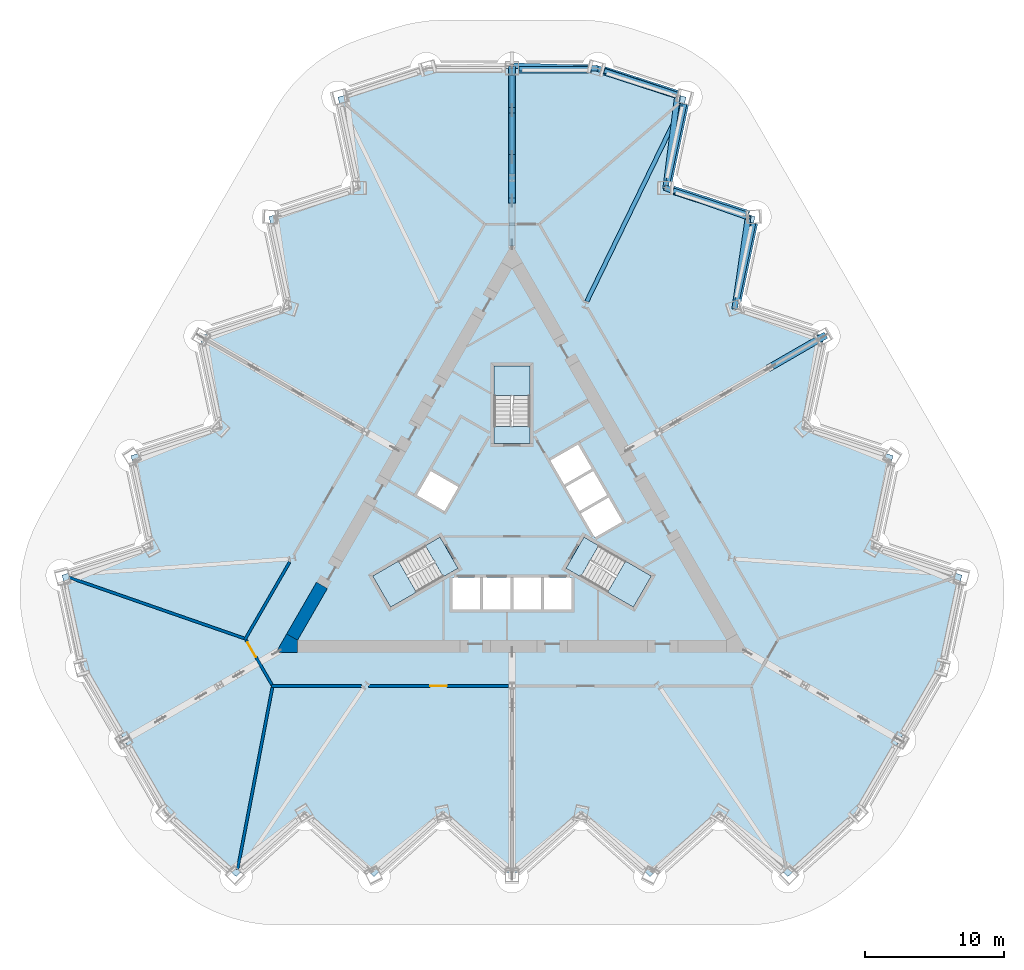
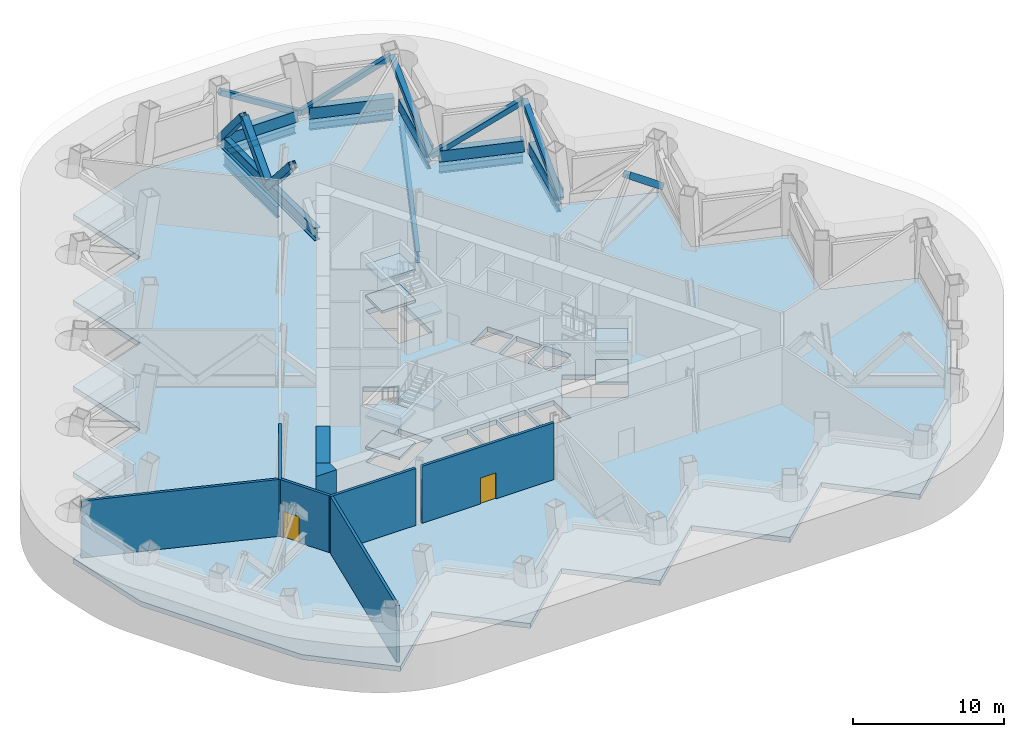
# One storey, part 4 of 14: 15 members, 10 slabs, 8 walls, 7 beams, 2 doors, 2 openings, 3 elements without a shape of their own.
"""IFC4 building model written with IfcOpenShell, lengths in metres."""

from ifc_helpers import new_model, si_unit, direction, frame, frame_2d, origin, origin_2d, place, context, subcontext, project, spatial, polyline, rectangle, hollow_rectangle, i_section, outline, extrude, material, layer, layer_set, material_profile, profile_set, type_object, element, fill, aggregate, save


model = new_model("IFC4")

# Units and contexts
model_context = context("Model", 3, precision=1e-05, world=origin(), true_north=direction((0.0, 1.0)))
body_context = subcontext(model_context, "Body", "Model", "MODEL_VIEW")
ifc_project = project(units=[si_unit("LENGTHUNIT", "METRE"), si_unit("AREAUNIT", "SQUARE_METRE"), si_unit("VOLUMEUNIT", "CUBIC_METRE"), si_unit("PLANEANGLEUNIT", "RADIAN"), si_unit("MASSUNIT", "GRAM", prefix="KILO")], contexts=[model_context])

# Site, building, storey
site_placement = place(None, origin())
site = spatial("IfcSite", under=ifc_project, at=site_placement, CompositionType="ELEMENT")
building_placement = place(site_placement, origin())
building = spatial("IfcBuilding", under=site, at=building_placement, Name="Cormorant Prow Tower", CompositionType="ELEMENT")
storey_placement = place(building_placement, frame((0.0, 0.0, 94.60009765625)))
storey = spatial("IfcBuildingStorey", under=building, at=storey_placement, Name="L19", CompositionType="ELEMENT", Elevation=94.60009765625)

# Members
ifc_material_1 = material(Name="Structural steel ASTM A572 Gr 50", Category="steel")
ifc_material_profile_1 = material_profile(ifc_material_1, hollow_rectangle(XDim=0.60009765625, YDim=0.89990234375, WallThickness=0.06005859375, at=origin_2d()), Name="Box 900x600x60")
ifc_profile_set_1 = profile_set([ifc_material_profile_1], Name="Structural steel ASTM A572 Gr 50")
member_type_1 = type_object("IfcMemberType", Name="Belt truss bottom chord 900x600x60", PredefinedType="CHORD", material=ifc_profile_set_1)
for number, where, z_axis, x_axis, name in (
    (1, (16.199462890625, 15.490478515625, 0.449951171875), (0.207940619729, 0.978141451257, 0.0), (-0.978141451257, 0.207940619729, 0.0), "Belt truss bottom chord ENE06-ENE07 L19"),
    (2, (17.044189453125, 21.71240234375, 0.449951171875), (-0.951049689017, 0.309038005787, 0.0), (-0.309038005787, -0.951049689017, 0.0), "Belt truss bottom chord ENE07-ENE08 L19"),
):
    element("IfcMember", number, at=place(storey_placement, frame(where, z_axis=z_axis, x_axis=x_axis)), inside=storey, type_object=member_type_1, Name=name, PredefinedType="CHORD", context=body_context, shape_type="SweptSolid", body=[
        extrude(hollow_rectangle(XDim=0.60009765625, YDim=0.89990234375, WallThickness=0.06005859375, at=origin_2d()), origin(), (0.0, 0.0, 1.0), 5.742431640625),
    ])
member_1_placement = place(storey_placement, frame((11.2333984375, 24.091796875, 0.449951171875), z_axis=(0.207931972737, 0.978143289459, 0.0), x_axis=(-0.978143289459, 0.207931972737, 0.0)))
element("IfcMember", 3, at=member_1_placement, inside=storey, type_object=member_type_1, Name="Belt truss bottom chord ENE08-ENE09 L19", PredefinedType="CHORD", context=body_context, shape_type="SweptSolid", body=[
    extrude(hollow_rectangle(XDim=0.60009765625, YDim=0.89990234375, WallThickness=0.06005859375, at=origin_2d()), origin(), (0.0, 0.0, 1.0), 5.74267578125),
])
member_2_placement = place(storey_placement, frame((12.078125, 30.31396484375, 0.449951171875), z_axis=(-0.951062183866, 0.308999550842, 0.0), x_axis=(-0.308999550842, -0.951062183866, 0.0)))
element("IfcMember", 4, at=member_2_placement, inside=storey, type_object=member_type_1, Name="Belt truss bottom chord ENE09-N00 L19", PredefinedType="CHORD", context=body_context, shape_type="SweptSolid", body=[
    extrude(hollow_rectangle(XDim=0.60009765625, YDim=0.89990234375, WallThickness=0.06005859375, at=origin_2d()), origin(), (0.0, 0.0, 1.0), 5.742431640625),
])
member_3_placement = place(storey_placement, frame((5.69970703125, 32.233642578125, 0.449951171875), z_axis=(-1.0, 0.0, 0.0), x_axis=(0.0, -1.0, 0.0)))
element("IfcMember", 5, at=member_3_placement, inside=storey, type_object=member_type_1, Name="Belt truss bottom chord N00-N01 L19", PredefinedType="CHORD", context=body_context, shape_type="SweptSolid", body=[
    extrude(hollow_rectangle(XDim=0.60009765625, YDim=0.89990234375, WallThickness=0.06005859375, at=origin_2d()), origin(), (0.0, 0.0, 1.0), 5.229736328125),
])
ifc_material_2 = material(Name="Structural steel ASTM A500 Gr C", Category="steel")
ifc_material_profile_2 = material_profile(ifc_material_2, hollow_rectangle(XDim=0.406494140625, YDim=0.406494140625, WallThickness=0.014892578125, at=origin_2d()), Name="HSS16x16x5/8")
ifc_profile_set_2 = profile_set([ifc_material_profile_2], Name="Structural steel ASTM A500 Gr C")
member_type_2 = type_object("IfcMemberType", Name="Belt truss diagonal HSS16x16x5/8", PredefinedType="BRACE", material=ifc_profile_set_2)
member_4_placement = place(storey_placement, frame((11.06689453125, 23.634033203125, 0.449951171875), z_axis=(0.812706953965, -0.287117202327, 0.507021813244), x_axis=(0.333108406392, 0.942888535083, 0.0)))
element("IfcMember", 6, at=member_4_placement, inside=storey, type_object=member_type_2, Name="Belt truss diagonal ENE07-ENE08 L19", PredefinedType="BRACE", context=body_context, shape_type="SweptSolid", body=[
    extrude(hollow_rectangle(XDim=0.406494140625, YDim=0.406494140625, WallThickness=0.014892578125, at=origin_2d()), origin(), (0.0, 0.0, 1.0), 7.29736328125),
])
member_5_placement = place(storey_placement, frame((6.088623046875, 32.25634765625, 0.449951171875), z_axis=(0.813433365656, -0.268306672584, 0.516079150019), x_axis=(0.31324443822, 0.949672534048, 0.0)))
element("IfcMember", 7, at=member_5_placement, inside=storey, type_object=member_type_2, Name="Belt truss diagonal ENE09-N00 L19", PredefinedType="BRACE", context=body_context, shape_type="SweptSolid", body=[
    extrude(hollow_rectangle(XDim=0.406494140625, YDim=0.406494140625, WallThickness=0.014892578125, at=origin_2d()), origin(), (0.0, 0.0, 1.0), 7.16943359375),
])
ifc_material_3 = material(Name="Structural steel ASTM A500 Gr C", Category="steel")
ifc_material_profile_3 = material_profile(ifc_material_3, hollow_rectangle(XDim=0.406494140625, YDim=0.406494140625, WallThickness=0.014892578125, at=origin_2d()), Name="HSS16x16x5/8")
ifc_profile_set_3 = profile_set([ifc_material_profile_3], Name="Structural steel ASTM A500 Gr C")
member_type_3 = type_object("IfcMemberType", Name="Belt truss strut HSS16x16x5/8", PredefinedType="STRUT", material=ifc_profile_set_3)
member_6_placement = place(storey_placement, frame((16.044921875, 15.01171875, 0.449951171875), z_axis=(0.125958825238, 0.863021320537, 0.48921219797), x_axis=(-0.989516348187, 0.144420901089, 0.0)))
element("IfcMember", 8, at=member_6_placement, inside=storey, type_object=member_type_3, Name="Belt truss strut ENE06-ENE07 L19", PredefinedType="STRUT", context=body_context, shape_type="SweptSolid", body=[
    extrude(hollow_rectangle(XDim=0.406494140625, YDim=0.406494140625, WallThickness=0.014892578125, at=origin_2d()), origin(), (0.0, 0.0, 1.0), 7.56298828125),
])
member_7_placement = place(storey_placement, frame((11.06689453125, 23.634033203125, 0.449951171875), z_axis=(0.110845140473, 0.86995679757, 0.480508610948), x_axis=(-0.991980283987, 0.126392706204, 0.0)))
element("IfcMember", 9, at=member_7_placement, inside=storey, type_object=member_type_3, Name="Belt truss strut ENE08-ENE09 L19", PredefinedType="STRUT", context=body_context, shape_type="SweptSolid", body=[
    extrude(hollow_rectangle(XDim=0.406494140625, YDim=0.406494140625, WallThickness=0.014892578125, at=origin_2d()), origin(), (0.0, 0.0, 1.0), 7.699951171875),
])
member_8_placement = place(storey_placement, frame((6.088623046875, 32.25634765625, 0.449951171875), z_axis=(-0.854286991675, 0.02630788763, 0.519135464887), x_axis=(-0.030780548378, -0.999526166662, 0.0)))
element("IfcMember", 10, at=member_8_placement, inside=storey, type_object=member_type_3, Name="Belt truss strut N00-N01 L19", PredefinedType="STRUT", context=body_context, shape_type="SweptSolid", body=[
    extrude(hollow_rectangle(XDim=0.406494140625, YDim=0.406494140625, WallThickness=0.014892578125, at=origin_2d()), origin(), (0.0, 0.0, 1.0), 7.127197265625),
])
ifc_material_4 = material(Name="Structural steel ASTM A992 Gr 50", Category="steel")
ifc_material_profile_4 = material_profile(ifc_material_4, i_section(OverallWidth=0.39990234375, OverallDepth=1.000244140625, WebThickness=0.01904296875, FlangeThickness=0.0361328125, at=origin_2d()), Name="W40x249")
ifc_profile_set_4 = profile_set([ifc_material_profile_4], Name="Structural steel ASTM A992 Gr 50")
member_type_4 = type_object("IfcMemberType", Name="Outrigger chord W40x249", PredefinedType="CHORD", material=ifc_profile_set_4)
member_9_placement = place(storey_placement, frame((0.0, 19.47998046875, 0.5), z_axis=(0.0, 1.0, 0.0), x_axis=(-1.0, 0.0, 0.0)))
element("IfcMember", 11, at=member_9_placement, inside=storey, type_object=member_type_4, Name="Outrigger bottom chord 1 L19", PredefinedType="CHORD", context=body_context, shape_type="SweptSolid", body=[
    extrude(i_section(OverallWidth=0.39990234375, OverallDepth=1.000244140625, WebThickness=0.01904296875, FlangeThickness=0.0361328125, at=origin_2d()), origin(), (0.0, 0.0, 1.0), 12.753662109375),
])
ifc_material_5 = material(Name="Structural steel ASTM A500 Gr C", Category="steel")
ifc_material_profile_5 = material_profile(ifc_material_5, hollow_rectangle(XDim=0.508056640625, YDim=0.508056640625, WallThickness=0.014892578125, at=origin_2d()), Name="HSS20x20x5/8")
ifc_profile_set_5 = profile_set([ifc_material_profile_5], Name="Structural steel ASTM A500 Gr C")
member_type_5 = type_object("IfcMemberType", Name="Outrigger diagonal HSS20x20x5/8", PredefinedType="BRACE", material=ifc_profile_set_5)
member_10_placement = place(storey_placement, frame((0.0, 25.856689453125, 0.5), z_axis=(0.0, 0.684324317416, 0.729177775712), x_axis=(-1.0, 0.0, 0.0)))
element("IfcMember", 12, at=member_10_placement, inside=storey, type_object=member_type_5, Name="Outrigger diagonal 1.3 L19", PredefinedType="BRACE", context=body_context, shape_type="SweptSolid", body=[
    extrude(hollow_rectangle(XDim=0.508056640625, YDim=0.508056640625, WallThickness=0.014892578125, at=origin_2d()), origin(), (0.0, 0.0, 1.0), 4.936767578125),
])
ifc_material_6 = material(Name="Structural steel ASTM A500 Gr C", Category="steel")
ifc_material_profile_6 = material_profile(ifc_material_6, hollow_rectangle(XDim=0.508056640625, YDim=0.508056640625, WallThickness=0.014892578125, at=origin_2d()), Name="HSS20x20x5/8")
ifc_profile_set_6 = profile_set([ifc_material_profile_6], Name="Structural steel ASTM A500 Gr C")
member_type_6 = type_object("IfcMemberType", Name="Outrigger strut HSS20x20x5/8", PredefinedType="STRUT", material=ifc_profile_set_6)
member_11_placement = place(storey_placement, frame((0.0, 22.731689453125, 4.099853515625), z_axis=(0.0, 0.655544505125, -0.755156541255), x_axis=(-1.0, 0.0, 0.0)))
element("IfcMember", 13, at=member_11_placement, inside=storey, type_object=member_type_6, Name="Outrigger strut 1.2 L19", PredefinedType="STRUT", context=body_context, shape_type="SweptSolid", body=[
    extrude(hollow_rectangle(XDim=0.508056640625, YDim=0.508056640625, WallThickness=0.014892578125, at=origin_2d()), origin(), (0.0, 0.0, 1.0), 4.76708984375),
])
member_12_placement = place(storey_placement, frame((0.0, 29.235107421875, 4.099853515625), z_axis=(0.0, 0.640015240155, -0.768362214304), x_axis=(-1.0, 0.0, 0.0)))
element("IfcMember", 14, at=member_12_placement, inside=storey, type_object=member_type_6, Name="Outrigger strut 1.4 L19", PredefinedType="STRUT", context=body_context, shape_type="SweptSolid", body=[
    extrude(hollow_rectangle(XDim=0.508056640625, YDim=0.508056640625, WallThickness=0.014892578125, at=origin_2d()), origin(), (0.0, 0.0, 1.0), 4.68505859375),
])
member_13_placement = place(storey_placement, frame((18.58984375, 10.73291015625, 4.099853515625), z_axis=(0.674247915553, 0.389242925808, -0.627598353313), x_axis=(-0.49996696679, 0.866044474677, 0.0)))
element("IfcMember", 15, at=member_13_placement, inside=storey, type_object=member_type_6, Name="Outrigger strut 6.4 L19", PredefinedType="STRUT", context=body_context, shape_type="SweptSolid", body=[
    extrude(hollow_rectangle(XDim=0.508056640625, YDim=0.508056640625, WallThickness=0.014892578125, at=origin_2d()), origin(), (0.0, 0.0, 1.0), 5.73583984375),
])

# Beams
ifc_material_7 = material(Name="Structural steel ASTM A992 Gr 50", Category="steel")
ifc_material_profile_7 = material_profile(ifc_material_7, i_section(OverallWidth=0.3046875, OverallDepth=0.914794921875, WebThickness=0.0166015625, FlangeThickness=0.02587890625, at=origin_2d()), Name="W36x160")
ifc_profile_set_7 = profile_set([ifc_material_profile_7], Name="Structural steel ASTM A992 Gr 50")
beam_type_1 = type_object("IfcBeamType", Name="Radial floor beam W36x160", PredefinedType="BEAM", material=ifc_profile_set_7)
beam_1_placement = place(storey_placement, frame((0.0, 24.662109375, -0.857421875), z_axis=(0.0, 1.0, 0.0), x_axis=(-1.0, 0.0, 0.0)))
element("IfcBeam", 16, at=beam_1_placement, inside=storey, type_object=beam_type_1, Name="Radial floor beam FB1 1 L19", PredefinedType="BEAM", context=body_context, shape_type="SweptSolid", body=[
    extrude(i_section(OverallWidth=0.3046875, OverallDepth=0.914794921875, WebThickness=0.0166015625, FlangeThickness=0.02587890625, at=origin_2d()), origin(), (0.0, 0.0, 1.0), 7.071533203125),
])
beam_2_placement = place(storey_placement, frame((5.390625, 15.4775390625, -0.857421875), z_axis=(0.436839436813, 0.899539496879, 0.0), x_axis=(-0.899539496879, 0.436839436813, 0.0)))
element("IfcBeam", 17, at=beam_2_placement, inside=storey, type_object=beam_type_1, Name="Radial floor beam FB1 12 L19", PredefinedType="BEAM", context=body_context, shape_type="SweptSolid", body=[
    extrude(i_section(OverallWidth=0.3046875, OverallDepth=0.914794921875, WebThickness=0.0166015625, FlangeThickness=0.02587890625, at=origin_2d()), origin(), (0.0, 0.0, 1.0), 15.83203125),
])
ifc_material_8 = material(Name="Structural steel ASTM A992 Gr 50", Category="steel")
ifc_material_profile_8 = material_profile(ifc_material_8, i_section(OverallWidth=0.32373046875, OverallDepth=0.611083984375, WebThickness=0.0126953125, FlangeThickness=0.01904296875, at=origin_2d()), Name="W24x104")
ifc_profile_set_8 = profile_set([ifc_material_profile_8], Name="Structural steel ASTM A992 Gr 50")
beam_type_2 = type_object("IfcBeamType", Name="Spandrel beam W24x104", PredefinedType="SPANDREL", material=ifc_profile_set_8)
beam_3_placement = place(storey_placement, frame((16.205810546875, 15.519775390625, -0.70556640625), z_axis=(0.207900376723, 0.97815000555, 0.0), x_axis=(-0.97815000555, 0.207900376723, 0.0)))
element("IfcBeam", 18, at=beam_3_placement, inside=storey, type_object=beam_type_2, Name="Spandrel beam SB1 ENE06-ENE07 L19", PredefinedType="SPANDREL", context=body_context, shape_type="SweptSolid", body=[
    extrude(i_section(OverallWidth=0.32373046875, OverallDepth=0.611083984375, WebThickness=0.0126953125, FlangeThickness=0.01904296875, at=origin_2d()), origin(), (0.0, 0.0, 1.0), 5.6826171875),
])
beam_4_placement = place(storey_placement, frame((17.015625, 21.7216796875, -0.70556640625), z_axis=(-0.951049222751, 0.309039440696, 0.0), x_axis=(-0.309039440696, -0.951049222751, 0.0)))
element("IfcBeam", 19, at=beam_4_placement, inside=storey, type_object=beam_type_2, Name="Spandrel beam SB1 ENE07-ENE08 L19", PredefinedType="SPANDREL", context=body_context, shape_type="SweptSolid", body=[
    extrude(i_section(OverallWidth=0.32373046875, OverallDepth=0.611083984375, WebThickness=0.0126953125, FlangeThickness=0.01904296875, at=origin_2d()), origin(), (0.0, 0.0, 1.0), 5.682373046875),
])
beam_5_placement = place(storey_placement, frame((11.23974609375, 24.121337890625, -0.70556640625), z_axis=(0.207900376723, 0.97815000555, 0.0), x_axis=(-0.97815000555, 0.207900376723, 0.0)))
element("IfcBeam", 20, at=beam_5_placement, inside=storey, type_object=beam_type_2, Name="Spandrel beam SB1 ENE08-ENE09 L19", PredefinedType="SPANDREL", context=body_context, shape_type="SweptSolid", body=[
    extrude(i_section(OverallWidth=0.32373046875, OverallDepth=0.611083984375, WebThickness=0.0126953125, FlangeThickness=0.01904296875, at=origin_2d()), origin(), (0.0, 0.0, 1.0), 5.6826171875),
])
beam_6_placement = place(storey_placement, frame((12.049560546875, 30.3232421875, -0.70556640625), z_axis=(-0.951061849722, 0.309000579292, 0.0), x_axis=(-0.309000579292, -0.951061849722, 0.0)))
element("IfcBeam", 21, at=beam_6_placement, inside=storey, type_object=beam_type_2, Name="Spandrel beam SB1 ENE09-N00 L19", PredefinedType="SPANDREL", context=body_context, shape_type="SweptSolid", body=[
    extrude(i_section(OverallWidth=0.32373046875, OverallDepth=0.611083984375, WebThickness=0.0126953125, FlangeThickness=0.01904296875, at=origin_2d()), origin(), (0.0, 0.0, 1.0), 5.682373046875),
])
beam_7_placement = place(storey_placement, frame((5.669677734375, 32.233642578125, -0.70556640625), z_axis=(-1.0, 0.0, 0.0), x_axis=(0.0, -1.0, 0.0)))
element("IfcBeam", 22, at=beam_7_placement, inside=storey, type_object=beam_type_2, Name="Spandrel beam SB1 N00-N01 L19", PredefinedType="SPANDREL", context=body_context, shape_type="SweptSolid", body=[
    extrude(i_section(OverallWidth=0.32373046875, OverallDepth=0.611083984375, WebThickness=0.0126953125, FlangeThickness=0.01904296875, at=origin_2d()), origin(), (0.0, 0.0, 1.0), 5.169677734375),
])

# Slab
ifc_material_9 = material(Name="Concrete C40/50", Category="concrete")
ifc_layer_1 = layer(ifc_material_9, 0.39990234375)
ifc_layer_set_1 = layer_set([ifc_layer_1], Name="Concrete C40/50")
slab_type_1 = type_object("IfcSlabType", Name="Post-tensioned flat slab 400", PredefinedType="FLOOR", material=ifc_layer_set_1)
slab_1_placement = place(storey_placement, frame((0.0, 0.0, -0.400146484375)))
element("IfcSlab", 23, at=slab_1_placement, inside=storey, type_object=slab_type_1, Name="Floor slab L19", PredefinedType="FLOOR", context=body_context, shape_type="SweptSolid", body=[
    extrude(outline(polyline([(-12.525146484375, 30.168701171875), (-11.1357421875, 23.632080078125), (-17.4912109375, 21.567138671875), (-16.101806640625, 15.03076171875), (-22.457275390625, 12.965576171875), (-21.06787109375, 6.42919921875), (-27.42333984375, 4.3642578125), (-26.033935546875, -2.17236328125), (-32.389404296875, -4.2373046875), (-31.0, -10.773681640625), (-27.915283203125, -16.116943359375), (-24.830322265625, -21.4599609375), (-19.8642578125, -25.931396484375), (-14.898193359375, -21.4599609375), (-9.93212890625, -25.931396484375), (-4.966064453125, -21.4599609375), (0.0, -25.931396484375), (4.966064453125, -21.4599609375), (9.93212890625, -25.931396484375), (14.898193359375, -21.4599609375), (19.8642578125, -25.931396484375), (24.830322265625, -21.4599609375), (27.915283203125, -16.116943359375), (31.0, -10.773681640625), (32.389404296875, -4.2373046875), (26.033935546875, -2.17236328125), (27.42333984375, 4.3642578125), (21.06787109375, 6.42919921875), (22.457275390625, 12.965576171875), (16.101806640625, 15.03076171875), (17.4912109375, 21.567138671875), (11.1357421875, 23.632080078125), (12.525146484375, 30.168701171875), (6.169677734375, 32.233642578125), (0.0, 32.233642578125), (-6.169677734375, 32.233642578125), (-12.525146484375, 30.168701171875)]), holes=[polyline([(-4.300048828125, -6.699951171875), (-4.300048828125, -4.39990234375), (-2.300048828125, -4.39990234375), (-2.300048828125, -6.699951171875), (-4.300048828125, -6.699951171875)]), polyline([(-2.10009765625, -4.39990234375), (-0.10009765625, -4.39990234375), (-0.10009765625, -6.699951171875), (-2.10009765625, -6.699951171875), (-2.10009765625, -4.39990234375)]), polyline([(2.10009765625, -4.39990234375), (2.10009765625, -6.699951171875), (0.10009765625, -6.699951171875), (0.10009765625, -4.39990234375), (2.10009765625, -4.39990234375)]), polyline([(4.300048828125, -6.699951171875), (2.300048828125, -6.699951171875), (2.300048828125, -4.39990234375), (4.300048828125, -4.39990234375), (4.300048828125, -6.699951171875)]), polyline([(7.952392578125, -0.373779296875), (5.96044921875, -1.52392578125), (4.96044921875, 0.2080078125), (6.952392578125, 1.358154296875), (7.952392578125, -0.373779296875)]), polyline([(4.860595703125, 0.38134765625), (3.860595703125, 2.11328125), (5.852294921875, 3.263427734375), (6.852294921875, 1.53125), (4.860595703125, 0.38134765625)]), polyline([(2.760498046875, 4.018798828125), (4.75244140625, 5.168701171875), (5.75244140625, 3.4365234375), (3.760498046875, 2.28662109375), (2.760498046875, 4.018798828125)]), polyline([(-6.852294921875, 1.53125), (-5.852294921875, 3.263427734375), (-3.860595703125, 2.11328125), (-4.860595703125, 0.38134765625), (-6.852294921875, 1.53125)]), polyline([(-4.947509765625, -4.3505859375), (-8.738037109375, -6.5390625), (-10.031982421875, -4.2978515625), (-6.241455078125, -2.109375), (-4.947509765625, -4.3505859375)]), polyline([(10.031982421875, -4.2978515625), (8.738037109375, -6.5390625), (4.947509765625, -4.3505859375), (6.241455078125, -2.109375), (10.031982421875, -4.2978515625)]), polyline([(1.2939453125, 10.8369140625), (1.2939453125, 6.459716796875), (-1.2939453125, 6.459716796875), (-1.2939453125, 10.8369140625), (1.2939453125, 10.8369140625)])]), origin(), (0.0, 0.0, 1.0), 0.400146484375),
])

# Stair, slabs
ifc_material_10 = material(Name="Exit stair 36 risers")
stair_type = type_object("IfcStairType", Name="Exit stair 36 risers", PredefinedType="HALF_TURN_STAIR", material=ifc_material_10)
stair_1_placement = place(storey_placement, origin())
stair_1 = element("IfcStair", 24, at=stair_1_placement, inside=storey, type_object=stair_type, Name="L19 Exit stair ST1", PredefinedType="HALF_TURN_STAIR")
ifc_material_11 = material(Name="Concrete 5000 psi", Category="concrete")
ifc_layer_2 = layer(ifc_material_11, 0.199951171875)
ifc_layer_set_2 = layer_set([ifc_layer_2], Name="Concrete 5000 psi")
slab_type_2 = type_object("IfcSlabType", Name="Stair landing 200", PredefinedType="LANDING", material=ifc_layer_set_2)
slab_2_placement = place(storey_placement, frame((0.0, 0.0, 1.0498046875)))
slab_2 = element("IfcSlab", 25, at=slab_2_placement, type_object=slab_type_2, Name="ST1 landing 1", PredefinedType="LANDING", context=body_context, shape_type="SweptSolid", body=[
    extrude(outline(polyline([(-8.17431640625, -3.225341796875), (-10.031982421875, -4.2978515625), (-8.738037109375, -6.5390625), (-6.88037109375, -5.466552734375), (-8.17431640625, -3.225341796875)])), origin(), (0.0, 0.0, 1.0), 0.2001953125),
])
slab_3_placement = place(storey_placement, frame((0.0, 0.0, 2.2998046875)))
slab_3 = element("IfcSlab", 26, at=slab_3_placement, type_object=slab_type_2, Name="ST1 landing 2", PredefinedType="LANDING", context=body_context, shape_type="SweptSolid", body=[
    extrude(outline(polyline([(-5.18212890625, -1.497802734375), (-6.241455078125, -2.109375), (-4.947265625, -4.3505859375), (-3.88818359375, -3.739013671875), (-5.18212890625, -1.497802734375)])), origin(), (0.0, 0.0, 1.0), 0.2001953125),
])
slab_4_placement = place(storey_placement, frame((0.0, 0.0, 3.5498046875)))
slab_4 = element("IfcSlab", 27, at=slab_4_placement, type_object=slab_type_2, Name="ST1 landing 3", PredefinedType="LANDING", context=body_context, shape_type="SweptSolid", body=[
    extrude(outline(polyline([(-8.17431640625, -3.225341796875), (-10.031982421875, -4.2978515625), (-8.738037109375, -6.5390625), (-6.88037109375, -5.466552734375), (-8.17431640625, -3.225341796875)])), origin(), (0.0, 0.0, 1.0), 0.2001953125),
])
aggregate(stair_1, [slab_2, slab_3, slab_4])

stair_2_placement = place(storey_placement, origin())
stair_2 = element("IfcStair", 28, at=stair_2_placement, inside=storey, type_object=stair_type, Name="L19 Exit stair ST2", PredefinedType="HALF_TURN_STAIR")
slab_5_placement = place(storey_placement, frame((0.0, 0.0, 1.0498046875)))
slab_5 = element("IfcSlab", 29, at=slab_5_placement, type_object=slab_type_2, Name="ST2 landing 1", PredefinedType="LANDING", context=body_context, shape_type="SweptSolid", body=[
    extrude(outline(polyline([(6.88037109375, -5.466552734375), (8.738037109375, -6.5390625), (10.031982421875, -4.2978515625), (8.17431640625, -3.225341796875), (6.88037109375, -5.466552734375)])), origin(), (0.0, 0.0, 1.0), 0.2001953125),
])
slab_6_placement = place(storey_placement, frame((0.0, 0.0, 2.2998046875)))
slab_6 = element("IfcSlab", 30, at=slab_6_placement, type_object=slab_type_2, Name="ST2 landing 2", PredefinedType="LANDING", context=body_context, shape_type="SweptSolid", body=[
    extrude(outline(polyline([(3.88818359375, -3.739013671875), (4.947265625, -4.3505859375), (6.241455078125, -2.109375), (5.18212890625, -1.497802734375), (3.88818359375, -3.739013671875)])), origin(), (0.0, 0.0, 1.0), 0.2001953125),
])
slab_7_placement = place(storey_placement, frame((0.0, 0.0, 3.5498046875)))
slab_7 = element("IfcSlab", 31, at=slab_7_placement, type_object=slab_type_2, Name="ST2 landing 3", PredefinedType="LANDING", context=body_context, shape_type="SweptSolid", body=[
    extrude(outline(polyline([(6.88037109375, -5.466552734375), (8.738037109375, -6.5390625), (10.031982421875, -4.2978515625), (8.17431640625, -3.225341796875), (6.88037109375, -5.466552734375)])), origin(), (0.0, 0.0, 1.0), 0.2001953125),
])
aggregate(stair_2, [slab_5, slab_6, slab_7])

stair_3_placement = place(storey_placement, origin())
stair_3 = element("IfcStair", 32, at=stair_3_placement, inside=storey, type_object=stair_type, Name="L19 Exit stair ST3", PredefinedType="HALF_TURN_STAIR")
slab_8_placement = place(storey_placement, frame((0.0, 0.0, 1.0498046875)))
slab_8 = element("IfcSlab", 33, at=slab_8_placement, type_object=slab_type_2, Name="ST3 landing 1", PredefinedType="LANDING", context=body_context, shape_type="SweptSolid", body=[
    extrude(outline(polyline([(1.2939453125, 8.69189453125), (1.2939453125, 10.8369140625), (-1.2939453125, 10.8369140625), (-1.2939453125, 8.69189453125), (1.2939453125, 8.69189453125)])), origin(), (0.0, 0.0, 1.0), 0.2001953125),
])
slab_9_placement = place(storey_placement, frame((0.0, 0.0, 2.2998046875)))
slab_9 = element("IfcSlab", 34, at=slab_9_placement, type_object=slab_type_2, Name="ST3 landing 2", PredefinedType="LANDING", context=body_context, shape_type="SweptSolid", body=[
    extrude(outline(polyline([(1.2939453125, 5.23681640625), (1.2939453125, 6.459716796875), (-1.2939453125, 6.459716796875), (-1.2939453125, 5.23681640625), (1.2939453125, 5.23681640625)])), origin(), (0.0, 0.0, 1.0), 0.2001953125),
])
slab_10_placement = place(storey_placement, frame((0.0, 0.0, 3.5498046875)))
slab_10 = element("IfcSlab", 35, at=slab_10_placement, type_object=slab_type_2, Name="ST3 landing 3", PredefinedType="LANDING", context=body_context, shape_type="SweptSolid", body=[
    extrude(outline(polyline([(1.2939453125, 8.69189453125), (1.2939453125, 10.8369140625), (-1.2939453125, 10.8369140625), (-1.2939453125, 8.69189453125), (1.2939453125, 8.69189453125)])), origin(), (0.0, 0.0, 1.0), 0.2001953125),
])
aggregate(stair_3, [slab_8, slab_9, slab_10])

# Walls
ifc_material_12 = material(Name="Concrete 8000 psi", Category="concrete")
ifc_layer_3 = layer(ifc_material_12, 0.89990234375)
ifc_layer_set_3 = layer_set([ifc_layer_3], Name="Concrete 8000 psi")
wall_type_1 = type_object("IfcWallType", Name="Core shear wall 900", PredefinedType="SHEAR", material=ifc_layer_set_3)
wall_1_placement = place(storey_placement, frame((-13.68310546875, -4.969970703125, 0.0), z_axis=(0.0, 0.0, 1.0), x_axis=(-0.499996331799, -0.866027521611, 0.0)))
element("IfcWall", 36, at=wall_1_placement, inside=storey, type_object=wall_type_1, Name="Core wall", PredefinedType="SHEAR", context=body_context, shape_type="SweptSolid", body=[
    extrude(rectangle(XDim=4.29541015625, YDim=0.89990234375, at=frame_2d((2.147705078125, 0.0))), origin(), (0.0, 0.0, 1.0), 4.599853515625),
])
wall_2_placement = place(storey_placement, origin())
element("IfcWall", 37, at=wall_2_placement, inside=storey, type_object=wall_type_1, Name="Core wall corner", PredefinedType="SHEAR", context=body_context, shape_type="SweptSolid", body=[
    extrude(outline(polyline([(-16.220703125, -8.465087890625), (-15.441162109375, -8.9150390625), (-15.441162109375, -9.81494140625), (-17.0, -9.81494140625), (-16.220703125, -8.465087890625)])), origin(), (0.0, 0.0, 1.0), 4.599853515625),
])

# Wall, opening, door
ifc_material_13 = material(Name="Gypsum board corridor wall")
ifc_layer_4 = layer(ifc_material_13, 0.199951171875)
ifc_layer_set_4 = layer_set([ifc_layer_4], Name="Gypsum board corridor wall")
wall_type_2 = type_object("IfcWallType", Name="Corridor wall 200", PredefinedType="PARTITIONING", material=ifc_layer_set_4)
wall_3_placement = place(storey_placement, frame((-10.336181640625, -12.215087890625, 0.0), z_axis=(0.0, 0.0, 1.0), x_axis=(1.0, 0.0, 0.0)))
wall_3 = element("IfcWall", 38, at=wall_3_placement, inside=storey, type_object=wall_type_2, Name="Corridor wall", PredefinedType="PARTITIONING", context=body_context, shape_type="SweptSolid", body=[
    extrude(rectangle(XDim=10.093994140625, YDim=0.199951171875, at=frame_2d((5.046875, 0.0))), origin(), (0.0, 0.0, 1.0), 4.599853515625),
])
opening_1_placement = place(wall_3_placement, frame((4.447021484375, 0.0, 0.0)))
opening_1 = element("IfcOpeningElement", 39, at=opening_1_placement, cuts=wall_3, Name="Opening L19-F01", PredefinedType="OPENING", context=body_context, shape_type="SweptSolid", body=[
    extrude(rectangle(XDim=1.199951171875, YDim=2.10009765625, at=frame_2d((0.60009765625, 1.050048828125))), frame((0.0, 0.10986328125, 0.0), z_axis=(0.0, -1.0, 0.0), x_axis=(1.0, 0.0, 0.0)), (0.0, 0.0, 1.0), 0.219970703125),
])
ifc_material_14 = material(Name="Timber door leaf", Category="wood")
door_type = type_object("IfcDoorType", Name="Plant room door 1200x2100", OperationType="NOTDEFINED", PredefinedType="DOOR", material=ifc_material_14)
door_1_placement = place(opening_1_placement, origin())
door_1 = element("IfcDoor", 40, at=door_1_placement, inside=storey, type_object=door_type, Name="Electrical switch room door", OperationType="SINGLE_SWING_RIGHT", OverallHeight=2.10009765625, OverallWidth=1.199951171875, PredefinedType="DOOR", context=body_context, shape_type="SweptSolid", body=[
    extrude(rectangle(XDim=1.199951171875, YDim=2.10009765625, at=frame_2d((0.60009765625, 1.050048828125))), frame((0.0, 0.02490234375, 0.0), z_axis=(0.0, -1.0, 0.0), x_axis=(1.0, 0.0, 0.0)), (0.0, 0.0, 1.0), 0.050048828125),
])
fill(opening_1, door_1)

# Walls
wall_4_placement = place(storey_placement, frame((-17.330810546875, -12.215087890625, 0.0), z_axis=(0.0, 0.0, 1.0), x_axis=(1.0, 0.0, 0.0)))
element("IfcWall", 41, at=wall_4_placement, inside=storey, type_object=wall_type_2, Name="Corridor wall", PredefinedType="PARTITIONING", context=body_context, shape_type="SweptSolid", body=[
    extrude(rectangle(XDim=6.510009765625, YDim=0.199951171875, at=frame_2d((3.2548828125, 0.0))), origin(), (0.0, 0.0, 1.0), 4.599853515625),
])
wall_5_placement = place(storey_placement, frame((-19.243896484375, -8.901611328125, 0.0), z_axis=(0.0, 0.0, 1.0), x_axis=(0.499984737558, 0.86603421538, 0.0)))
element("IfcWall", 42, at=wall_5_placement, inside=storey, type_object=wall_type_2, Name="Corridor wall", PredefinedType="PARTITIONING", context=body_context, shape_type="SweptSolid", body=[
    extrude(rectangle(XDim=6.472900390625, YDim=0.199951171875, at=frame_2d((3.236328125, 0.0))), origin(), (0.0, 0.0, 1.0), 4.599853515625),
])

# Wall, opening, door
wall_6_placement = place(storey_placement, frame((-19.143798828125, -8.901611328125, 0.0), z_axis=(0.0, 0.0, 1.0), x_axis=(0.499958791762, -0.866049194065, 0.0)))
wall_6 = element("IfcWall", 43, at=wall_6_placement, inside=storey, type_object=wall_type_2, Name="Corridor wall", PredefinedType="PARTITIONING", context=body_context, shape_type="SweptSolid", body=[
    extrude(rectangle(XDim=3.725830078125, YDim=0.199951171875, at=frame_2d((1.86279296875, 0.0))), origin(), (0.0, 0.0, 1.0), 4.599853515625),
])
opening_2_placement = place(wall_6_placement, frame((0.201171875, 0.0, 0.0)))
opening_2 = element("IfcOpeningElement", 44, at=opening_2_placement, cuts=wall_6, Name="Opening L19-F03", PredefinedType="OPENING", context=body_context, shape_type="SweptSolid", body=[
    extrude(rectangle(XDim=1.199951171875, YDim=2.10009765625, at=frame_2d((0.60009765625, 1.050048828125))), frame((0.0, 0.10986328125, 0.0), z_axis=(0.0, -1.0, 0.0), x_axis=(1.0, 0.0, 0.0)), (0.0, 0.0, 1.0), 0.219970703125),
])
door_2_placement = place(opening_2_placement, origin())
door_2 = element("IfcDoor", 45, at=door_2_placement, inside=storey, type_object=door_type, Name="Boiler plant room door", OperationType="SINGLE_SWING_LEFT", OverallHeight=2.10009765625, OverallWidth=1.199951171875, PredefinedType="DOOR", context=body_context, shape_type="SweptSolid", body=[
    extrude(rectangle(XDim=1.199951171875, YDim=2.10009765625, at=frame_2d((0.60009765625, 1.050048828125))), frame((0.0, 0.02490234375, 0.0), z_axis=(0.0, -1.0, 0.0), x_axis=(1.0, 0.0, 0.0)), (0.0, 0.0, 1.0), 0.050048828125),
])
fill(opening_2, door_2)

# Walls
ifc_material_15 = material(Name="Gypsum board demising wall")
ifc_layer_5 = layer(ifc_material_15, 0.199951171875)
ifc_layer_set_5 = layer_set([ifc_layer_5], Name="Gypsum board demising wall")
wall_type_3 = type_object("IfcWallType", Name="Demising wall 200", PredefinedType="PARTITIONING", material=ifc_layer_set_5)
wall_7_placement = place(storey_placement, frame((-19.757080078125, -25.42138671875, 0.0), z_axis=(0.0, 0.0, 1.0), x_axis=(0.187873651286, 0.982193204595, 0.0)))
element("IfcWall", 46, at=wall_7_placement, inside=storey, type_object=wall_type_3, Name="Demising wall", PredefinedType="PARTITIONING", context=body_context, shape_type="SweptSolid", body=[
    extrude(rectangle(XDim=13.345703125, YDim=0.199951171875, at=frame_2d((6.6728515625, 0.0))), origin(), (0.0, 0.0, 1.0), 4.599853515625),
])
wall_8_placement = place(storey_placement, frame((-31.87939453125, -4.404541015625, 0.0), z_axis=(0.0, 0.0, 1.0), x_axis=(0.944544719933, -0.328382813263, 0.0)))
element("IfcWall", 47, at=wall_8_placement, inside=storey, type_object=wall_type_3, Name="Demising wall", PredefinedType="PARTITIONING", context=body_context, shape_type="SweptSolid", body=[
    extrude(rectangle(XDim=13.330322265625, YDim=0.199951171875, at=frame_2d((6.6650390625, 0.0))), origin(), (0.0, 0.0, 1.0), 4.599853515625),
])

save(model, "model.ifc")
